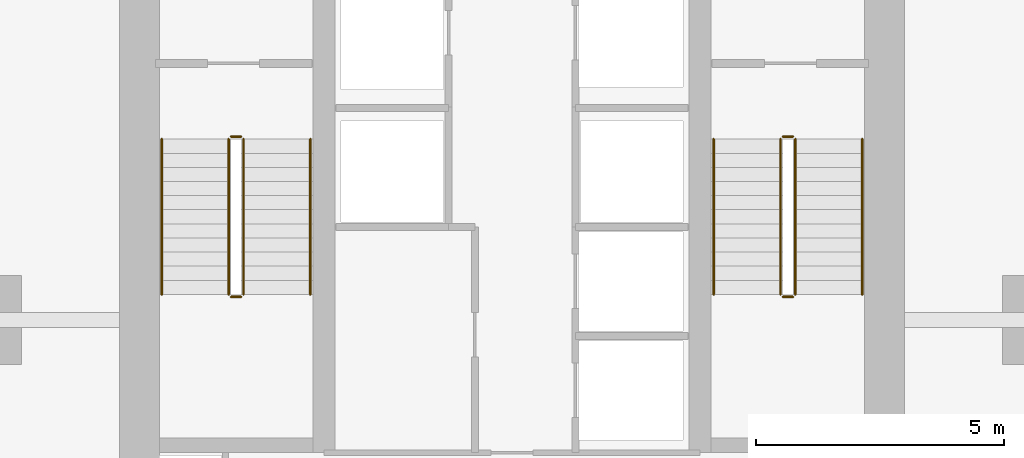
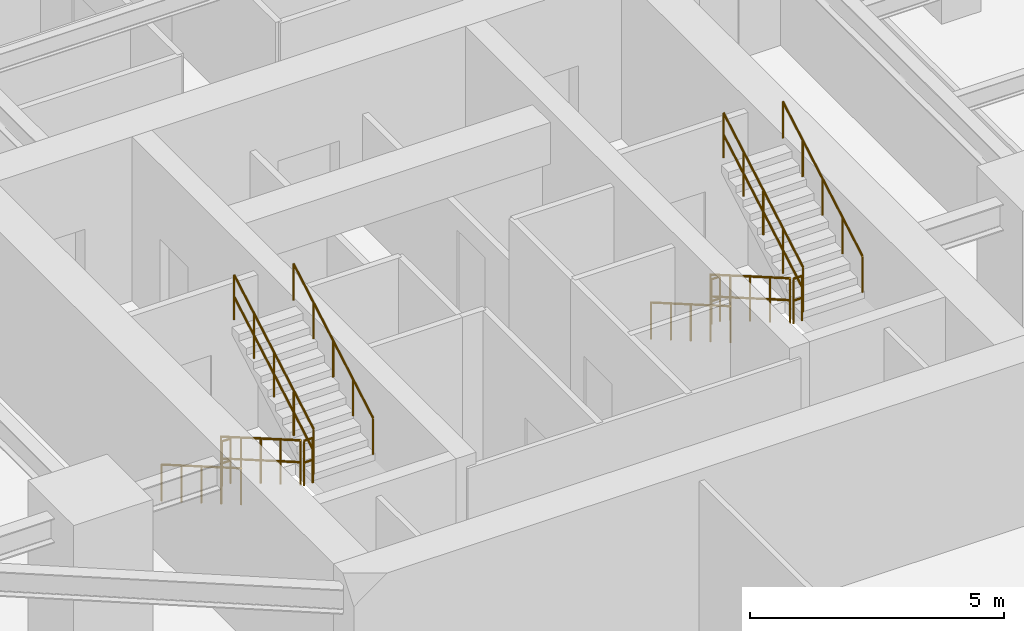
# One storey, part 24 of 25: 12 railings.
"""IFC4 building model written with IfcOpenShell, lengths in metres."""

import ifcopenshell
import ifcopenshell.guid

model = None  # the IFC model being written
_history = None  # IfcOwnerHistory: only IFC2X3 demands one
_inside = {}  # id of a spatial element -> (the spatial element, [elements in it])
_under = {}  # id of a project, library or spatial element -> (it, [spatial elements below it])
_declared = {}  # id of a project -> (the project, [libraries it declares])
_typed = {}  # id of a type object -> (the type object, [elements of that type])
_made_of = {}  # id of a material, layer set ... -> (it, [elements and type objects made of it])


def new_model(schema):
    """Start an empty IFC model of exactly this schema.

    Asked for "IFC4X3", IfcOpenShell would pick the latest addendum, in which some entities
    have other attributes; the version numbers below select the first issue.
    IFC2X3 requires an IfcOwnerHistory on every rooted entity: one is made here for all.
    """
    global model, _history
    if schema == "IFC4X3":
        model = ifcopenshell.file(schema_version=(4, 3, 0, 0))
    else:
        model = ifcopenshell.file(schema=schema)
    _inside.clear()
    _under.clear()
    _declared.clear()
    _typed.clear()
    _made_of.clear()
    _history = None
    if model.schema == "IFC2X3":
        org = make("IfcOrganization", Name="unknown")
        user = make(
            "IfcPersonAndOrganization",
            ThePerson=make("IfcPerson", FamilyName="unknown"),
            TheOrganization=org,
        )
        app = make(
            "IfcApplication",
            ApplicationDeveloper=org,
            Version="unknown",
            ApplicationFullName="unknown",
            ApplicationIdentifier="unknown",
        )
        _history = make(
            "IfcOwnerHistory",
            OwningUser=user,
            OwningApplication=app,
            ChangeAction="ADDED",
            CreationDate=0,
        )
    return model


def make(cls, **values):
    """One entity of the class cls with the attributes given. An attribute that is None is left unset."""
    return model.create_entity(
        cls, **{name: value for name, value in values.items() if value is not None}
    )


def rooted(cls, **values):
    """An entity with a GlobalId (a new one), such as an element, a storey or a relation."""
    return make(cls, GlobalId=ifcopenshell.guid.new(), OwnerHistory=_history, **values)


def si_unit(unit_type, name, prefix=None):
    """IfcSIUnit, for example si_unit("LENGTHUNIT", "METRE", prefix="MILLI")."""
    return make("IfcSIUnit", UnitType=unit_type, Prefix=prefix, Name=name)


def assignment(units):
    """IfcUnitAssignment: the units of a project."""
    return None if units is None else make("IfcUnitAssignment", Units=units)


def point(xyz):
    """IfcCartesianPoint."""
    return None if xyz is None else make("IfcCartesianPoint", Coordinates=xyz)


def direction(xyz):
    """IfcDirection."""
    return None if xyz is None else make("IfcDirection", DirectionRatios=xyz)


def frame(location, z_axis=None, x_axis=None):
    """IfcAxis2Placement3D, a coordinate frame: its origin and axes. An axis left out is left unset."""
    return make(
        "IfcAxis2Placement3D",
        Location=point(location),
        Axis=direction(z_axis),
        RefDirection=direction(x_axis),
    )


def frame_2d(location, x_axis=None):
    """IfcAxis2Placement2D, a coordinate frame in the plane: its origin and x axis."""
    return make(
        "IfcAxis2Placement2D", Location=point(location), RefDirection=direction(x_axis)
    )


def origin():
    """The frame at (0, 0, 0) with its axes left unset."""
    return frame((0.0, 0.0, 0.0))


def origin_2d():
    """The frame at (0, 0) in the plane with its x axis left unset."""
    return frame_2d((0.0, 0.0))


def place(relative_to, where):
    """IfcLocalPlacement: puts the frame where relative to a parent placement (None: the world)."""
    return make(
        "IfcLocalPlacement", PlacementRelTo=relative_to, RelativePlacement=where
    )


def context(
    kind, dimensions, precision=None, world=None, true_north=None, identifier=None
):
    """IfcGeometricRepresentationContext, for example the 3D "Model" context."""
    return make(
        "IfcGeometricRepresentationContext",
        ContextIdentifier=identifier,
        ContextType=kind,
        CoordinateSpaceDimension=dimensions,
        Precision=precision,
        WorldCoordinateSystem=world,
        TrueNorth=true_north,
    )


def subcontext(parent, identifier, kind, view, scale=None):
    """IfcGeometricRepresentationSubContext, for example "Body" below "Model"."""
    return make(
        "IfcGeometricRepresentationSubContext",
        ContextIdentifier=identifier,
        ContextType=kind,
        ParentContext=parent,
        TargetScale=scale,
        TargetView=view,
    )


def project(units=None, contexts=None):
    """IfcProject with its units and contexts."""
    return rooted(
        "IfcProject",
        Name="project",
        RepresentationContexts=contexts,
        UnitsInContext=assignment(units),
    )


def spatial(cls, under=None, at=None, **own):
    """A site, building, storey or space (cls), placed at a placement, below another one or the project."""
    s = rooted(cls, ObjectPlacement=at, **own)
    if under is not None:
        _under.setdefault(under.id(), (under, []))[1].append(s)
    return s


def profile(cls, at=None, kind="AREA", **sizes):
    """A parametric profile (cls). Its sizes go by their IFC names, for example OverallWidth=200.0."""
    return make(cls, ProfileType=kind, Position=at, **sizes)


def circle(**sizes):
    """IfcCircleProfileDef."""
    return profile("IfcCircleProfileDef", **sizes)


def extrude(swept, where, along, depth):
    """IfcExtrudedAreaSolid: the profile swept, set in the frame where, extruded along a direction by depth."""
    return make(
        "IfcExtrudedAreaSolid",
        SweptArea=swept,
        Position=where,
        ExtrudedDirection=direction(along),
        Depth=depth,
    )


def shape(context_of_items, identifier, shape_type, items):
    """IfcShapeRepresentation: the items that make up one representation, for example the "Body"."""
    return make(
        "IfcShapeRepresentation",
        ContextOfItems=context_of_items,
        RepresentationIdentifier=identifier,
        RepresentationType=shape_type,
        Items=items,
    )


def material(Name=None, Category=None):
    """IfcMaterial."""
    return make("IfcMaterial", Name=Name, Category=Category)


def layer(
    of_material, thickness, ventilated=None, Name=None, Category=None, Priority=None
):
    """IfcMaterialLayer: one layer of a wall or slab, of a material (None: an air gap)."""
    return make(
        "IfcMaterialLayer",
        Material=of_material,
        LayerThickness=thickness,
        IsVentilated=ventilated,
        Name=Name,
        Category=Category,
        Priority=Priority,
    )


def layer_set(layers, Name=None):
    """IfcMaterialLayerSet."""
    return make("IfcMaterialLayerSet", MaterialLayers=layers, LayerSetName=Name)


def made_of(thing, what):
    """Note that an element or type object is made of a material, layer set ...; save() writes the relation."""
    if what is not None:
        _made_of.setdefault(what.id(), (what, []))[1].append(thing)
    return thing


def type_object(cls, material=None, **own):
    """A type object (cls), such as IfcWallType, which elements share."""
    return made_of(rooted(cls, **own), material)


def element(
    cls,
    number,
    at=None,
    inside=None,
    cuts=None,
    type_object=None,
    material=None,
    context=None,
    identifier="Body",
    shape_type=None,
    held_by="IfcProductDefinitionShape",
    body=None,
    shapes=None,
    **own,
):
    """One element of the class cls, such as IfcWall. Its Tag is "e" and its number.

    at: its placement. inside: the storey or other place that contains it. cuts: it is an
    opening in that element (IfcRelVoidsElement). A single representation is given by context,
    identifier, shape_type and body (its items); several are given by shapes. held_by: the class
    of the entity that holds the representations. save() writes the other relations.
    """
    e = rooted(cls, Tag="e%d" % number, ObjectPlacement=at, **own)
    if body is not None:
        shapes = [shape(context, identifier, shape_type, body)]
    if shapes is not None:
        e.Representation = make(held_by, Representations=shapes)
    if inside is not None:
        _inside.setdefault(inside.id(), (inside, []))[1].append(e)
    if cuts is not None:
        rooted(
            "IfcRelVoidsElement", RelatingBuildingElement=cuts, RelatedOpeningElement=e
        )
    if type_object is not None:
        _typed.setdefault(type_object.id(), (type_object, []))[1].append(e)
    return made_of(e, material)


def aggregate(whole, parts):
    """IfcRelAggregates: a whole, such as a stair, and the parts it consists of."""
    return rooted("IfcRelAggregates", RelatingObject=whole, RelatedObjects=parts)


def save(model, path):
    """Write the relations noted so far, then the file.

    IfcRelAggregates (storeys below a building ...), IfcRelContainedInSpatialStructure (elements
    in a storey), IfcRelDefinesByType, IfcRelAssociatesMaterial and IfcRelDeclares: one each for
    every whole, place, type object, material and project.
    """
    for whole, parts in _under.values():
        aggregate(whole, parts)
    for where, things in _inside.values():
        rooted(
            "IfcRelContainedInSpatialStructure",
            RelatedElements=things,
            RelatingStructure=where,
        )
    for kind, things in _typed.values():
        rooted("IfcRelDefinesByType", RelatedObjects=things, RelatingType=kind)
    for what, things in _made_of.values():
        rooted("IfcRelAssociatesMaterial", RelatedObjects=things, RelatingMaterial=what)
    for by, libraries in _declared.values():
        rooted("IfcRelDeclares", RelatingContext=by, RelatedDefinitions=libraries)
    model.write(path)


model = new_model("IFC4")

# Units and contexts
model_context = context("Model", 3, precision=1e-05, world=origin(), true_north=direction((0.0, 1.0)))
body_context = subcontext(model_context, "Body", "Model", "MODEL_VIEW")
ifc_project = project(units=[si_unit("LENGTHUNIT", "METRE"), si_unit("AREAUNIT", "SQUARE_METRE"), si_unit("VOLUMEUNIT", "CUBIC_METRE"), si_unit("PLANEANGLEUNIT", "RADIAN"), si_unit("MASSUNIT", "GRAM", prefix="KILO")], contexts=[model_context])

# Site, building, storey
site_placement = place(None, origin())
site = spatial("IfcSite", under=ifc_project, at=site_placement, CompositionType="ELEMENT")
building_placement = place(site_placement, origin())
building = spatial("IfcBuilding", under=site, at=building_placement, Name="Krantzveldt Concourse Tower", CompositionType="ELEMENT")
storey_placement = place(building_placement, frame((0.0, 0.0, 181.75)))
storey = spatial("IfcBuildingStorey", under=building, at=storey_placement, Name="L44", CompositionType="ELEMENT", Elevation=181.75)

# Railings
ifc_material = material(Name="Stainless steel 316L", Category="steel")
ifc_layer_1 = layer(ifc_material, 0.06005859375, Name="Stainless steel 316L", Category="steel")
ifc_layer_set_1 = layer_set([ifc_layer_1], Name="Stainless steel 316L (RL-GUARD-1120)")
railing_type_1 = type_object("IfcRailingType", Name="RL-GUARD-1120", PredefinedType="GUARDRAIL", material=ifc_layer_set_1)
railing_1_placement = place(storey_placement, frame((30.280029296875, 19.550048828125, 0.16455078125)))
element("IfcRailing", 1, at=railing_1_placement, inside=storey, type_object=railing_type_1, Name="L44 ST-1 stair guard 1", PredefinedType="GUARDRAIL", context=body_context, shape_type="SweptSolid", body=[
    extrude(circle(Radius=0.02392578125, at=origin_2d()), frame((0.0, 0.0, 1.076171875), z_axis=(0.0, -0.865959834175, 0.500113552702), x_axis=(1.0, 0.0, 0.0)), (0.0, 0.0, 1.0), 3.620361328125),
    extrude(circle(Radius=0.02392578125, at=origin_2d()), frame((0.0, 0.0, 0.550048828125), z_axis=(0.0, -0.865959834175, 0.500113552702), x_axis=(1.0, 0.0, 0.0)), (0.0, 0.0, 1.0), 3.620361328125),
    extrude(circle(Radius=0.02099609375, at=origin_2d()), origin(), (0.0, 0.0, 1.0), 1.052001953125),
    extrude(circle(Radius=0.02099609375, at=origin_2d()), frame((0.0, -0.78369140625, 0.45263671875)), (0.0, 0.0, 1.0), 1.052001953125),
    extrude(circle(Radius=0.02099609375, at=origin_2d()), frame((0.0, -1.5673828125, 0.9052734375)), (0.0, 0.0, 1.0), 1.052001953125),
    extrude(circle(Radius=0.02099609375, at=origin_2d()), frame((0.0, -2.351318359375, 1.35791015625)), (0.0, 0.0, 1.0), 1.052001953125),
    extrude(circle(Radius=0.02099609375, at=origin_2d()), frame((0.0, -3.135009765625, 1.810546875)), (0.0, 0.0, 1.0), 1.052001953125),
])
railing_2_placement = place(storey_placement, frame((30.330078125, 16.364990234375, 1.97509765625)))
element("IfcRailing", 2, at=railing_2_placement, inside=storey, type_object=railing_type_1, Name="L44 ST-1 stair guard 2", PredefinedType="GUARDRAIL", context=body_context, shape_type="SweptSolid", body=[
    extrude(circle(Radius=0.02392578125, at=origin_2d()), frame((0.0, 0.0, 1.076171875), z_axis=(1.0, 0.0, 0.0), x_axis=(0.0, 1.0, 0.0)), (0.0, 0.0, 1.0), 0.199951171875),
    extrude(circle(Radius=0.02392578125, at=origin_2d()), frame((0.0, 0.0, 0.550048828125), z_axis=(1.0, 0.0, 0.0), x_axis=(0.0, 1.0, 0.0)), (0.0, 0.0, 1.0), 0.199951171875),
    extrude(circle(Radius=0.02099609375, at=origin_2d()), origin(), (0.0, 0.0, 1.0), 1.052001953125),
    extrude(circle(Radius=0.02099609375, at=origin_2d()), frame((0.199951171875, 0.0, 0.0)), (0.0, 0.0, 1.0), 1.052001953125),
])
railing_3_placement = place(storey_placement, frame((30.580078125, 16.4150390625, 2.1396484375)))
element("IfcRailing", 3, at=railing_3_placement, inside=storey, type_object=railing_type_1, Name="L44 ST-1 stair guard 3", PredefinedType="GUARDRAIL", context=body_context, shape_type="SweptSolid", body=[
    extrude(circle(Radius=0.02392578125, at=origin_2d()), frame((0.0, 0.0, 1.076171875), z_axis=(0.0, 0.865989039225, 0.500062979975), x_axis=(-1.0, 0.0, 0.0)), (0.0, 0.0, 1.0), 3.6201171875),
    extrude(circle(Radius=0.02392578125, at=origin_2d()), frame((0.0, 0.0, 0.550048828125), z_axis=(0.0, 0.865989039225, 0.500062979975), x_axis=(-1.0, 0.0, 0.0)), (0.0, 0.0, 1.0), 3.6201171875),
    extrude(circle(Radius=0.02099609375, at=origin_2d()), origin(), (0.0, 0.0, 1.0), 1.052001953125),
    extrude(circle(Radius=0.02099609375, at=origin_2d()), frame((0.0, 0.78369140625, 0.45263671875)), (0.0, 0.0, 1.0), 1.052001953125),
    extrude(circle(Radius=0.02099609375, at=origin_2d()), frame((0.0, 1.5673828125, 0.9052734375)), (0.0, 0.0, 1.0), 1.052001953125),
    extrude(circle(Radius=0.02099609375, at=origin_2d()), frame((0.0, 2.351318359375, 1.357666015625)), (0.0, 0.0, 1.0), 1.052001953125),
    extrude(circle(Radius=0.02099609375, at=origin_2d()), frame((0.0, 3.135009765625, 1.810302734375)), (0.0, 0.0, 1.0), 1.052001953125),
])
railing_4_placement = place(storey_placement, frame((30.330078125, 19.60009765625, 0.0)))
element("IfcRailing", 4, at=railing_4_placement, inside=storey, type_object=railing_type_1, Name="L44 ST-1 stair guard 4", PredefinedType="GUARDRAIL", context=body_context, shape_type="SweptSolid", body=[
    extrude(circle(Radius=0.02392578125, at=origin_2d()), frame((0.0, 0.0, 1.076171875), z_axis=(1.0, 0.0, 0.0), x_axis=(0.0, 1.0, 0.0)), (0.0, 0.0, 1.0), 0.199951171875),
    extrude(circle(Radius=0.02392578125, at=origin_2d()), frame((0.0, 0.0, 0.550048828125), z_axis=(1.0, 0.0, 0.0), x_axis=(0.0, 1.0, 0.0)), (0.0, 0.0, 1.0), 0.199951171875),
    extrude(circle(Radius=0.02099609375, at=origin_2d()), origin(), (0.0, 0.0, 1.0), 1.052001953125),
    extrude(circle(Radius=0.02099609375, at=origin_2d()), frame((0.199951171875, 0.0, 0.0)), (0.0, 0.0, 1.0), 1.052001953125),
])
railing_5_placement = place(storey_placement, frame((41.419921875, 19.550048828125, 0.16455078125)))
element("IfcRailing", 5, at=railing_5_placement, inside=storey, type_object=railing_type_1, Name="L44 ST-2 stair guard 1", PredefinedType="GUARDRAIL", context=body_context, shape_type="SweptSolid", body=[
    extrude(circle(Radius=0.02392578125, at=origin_2d()), frame((0.0, 0.0, 1.076171875), z_axis=(0.0, -0.865959834175, 0.500113552702), x_axis=(1.0, 0.0, 0.0)), (0.0, 0.0, 1.0), 3.620361328125),
    extrude(circle(Radius=0.02392578125, at=origin_2d()), frame((0.0, 0.0, 0.550048828125), z_axis=(0.0, -0.865959834175, 0.500113552702), x_axis=(1.0, 0.0, 0.0)), (0.0, 0.0, 1.0), 3.620361328125),
    extrude(circle(Radius=0.02099609375, at=origin_2d()), origin(), (0.0, 0.0, 1.0), 1.052001953125),
    extrude(circle(Radius=0.02099609375, at=origin_2d()), frame((0.0, -0.78369140625, 0.45263671875)), (0.0, 0.0, 1.0), 1.052001953125),
    extrude(circle(Radius=0.02099609375, at=origin_2d()), frame((0.0, -1.5673828125, 0.9052734375)), (0.0, 0.0, 1.0), 1.052001953125),
    extrude(circle(Radius=0.02099609375, at=origin_2d()), frame((0.0, -2.351318359375, 1.35791015625)), (0.0, 0.0, 1.0), 1.052001953125),
    extrude(circle(Radius=0.02099609375, at=origin_2d()), frame((0.0, -3.135009765625, 1.810546875)), (0.0, 0.0, 1.0), 1.052001953125),
])
railing_6_placement = place(storey_placement, frame((41.469970703125, 16.364990234375, 1.97509765625)))
element("IfcRailing", 6, at=railing_6_placement, inside=storey, type_object=railing_type_1, Name="L44 ST-2 stair guard 2", PredefinedType="GUARDRAIL", context=body_context, shape_type="SweptSolid", body=[
    extrude(circle(Radius=0.02392578125, at=origin_2d()), frame((0.0, 0.0, 1.076171875), z_axis=(1.0, 0.0, 0.0), x_axis=(0.0, 1.0, 0.0)), (0.0, 0.0, 1.0), 0.199951171875),
    extrude(circle(Radius=0.02392578125, at=origin_2d()), frame((0.0, 0.0, 0.550048828125), z_axis=(1.0, 0.0, 0.0), x_axis=(0.0, 1.0, 0.0)), (0.0, 0.0, 1.0), 0.199951171875),
    extrude(circle(Radius=0.02099609375, at=origin_2d()), origin(), (0.0, 0.0, 1.0), 1.052001953125),
    extrude(circle(Radius=0.02099609375, at=origin_2d()), frame((0.199951171875, 0.0, 0.0)), (0.0, 0.0, 1.0), 1.052001953125),
])
railing_7_placement = place(storey_placement, frame((41.719970703125, 16.4150390625, 2.1396484375)))
element("IfcRailing", 7, at=railing_7_placement, inside=storey, type_object=railing_type_1, Name="L44 ST-2 stair guard 3", PredefinedType="GUARDRAIL", context=body_context, shape_type="SweptSolid", body=[
    extrude(circle(Radius=0.02392578125, at=origin_2d()), frame((0.0, 0.0, 1.076171875), z_axis=(0.0, 0.865989039225, 0.500062979975), x_axis=(-1.0, 0.0, 0.0)), (0.0, 0.0, 1.0), 3.6201171875),
    extrude(circle(Radius=0.02392578125, at=origin_2d()), frame((0.0, 0.0, 0.550048828125), z_axis=(0.0, 0.865989039225, 0.500062979975), x_axis=(-1.0, 0.0, 0.0)), (0.0, 0.0, 1.0), 3.6201171875),
    extrude(circle(Radius=0.02099609375, at=origin_2d()), origin(), (0.0, 0.0, 1.0), 1.052001953125),
    extrude(circle(Radius=0.02099609375, at=origin_2d()), frame((0.0, 0.78369140625, 0.45263671875)), (0.0, 0.0, 1.0), 1.052001953125),
    extrude(circle(Radius=0.02099609375, at=origin_2d()), frame((0.0, 1.5673828125, 0.9052734375)), (0.0, 0.0, 1.0), 1.052001953125),
    extrude(circle(Radius=0.02099609375, at=origin_2d()), frame((0.0, 2.351318359375, 1.357666015625)), (0.0, 0.0, 1.0), 1.052001953125),
    extrude(circle(Radius=0.02099609375, at=origin_2d()), frame((0.0, 3.135009765625, 1.810302734375)), (0.0, 0.0, 1.0), 1.052001953125),
])
railing_8_placement = place(storey_placement, frame((41.469970703125, 19.60009765625, 0.0)))
element("IfcRailing", 8, at=railing_8_placement, inside=storey, type_object=railing_type_1, Name="L44 ST-2 stair guard 4", PredefinedType="GUARDRAIL", context=body_context, shape_type="SweptSolid", body=[
    extrude(circle(Radius=0.02392578125, at=origin_2d()), frame((0.0, 0.0, 1.076171875), z_axis=(1.0, 0.0, 0.0), x_axis=(0.0, 1.0, 0.0)), (0.0, 0.0, 1.0), 0.199951171875),
    extrude(circle(Radius=0.02392578125, at=origin_2d()), frame((0.0, 0.0, 0.550048828125), z_axis=(1.0, 0.0, 0.0), x_axis=(0.0, 1.0, 0.0)), (0.0, 0.0, 1.0), 0.199951171875),
    extrude(circle(Radius=0.02099609375, at=origin_2d()), origin(), (0.0, 0.0, 1.0), 1.052001953125),
    extrude(circle(Radius=0.02099609375, at=origin_2d()), frame((0.199951171875, 0.0, 0.0)), (0.0, 0.0, 1.0), 1.052001953125),
])
ifc_layer_2 = layer(ifc_material, 0.050048828125, Name="Stainless steel 316L", Category="steel")
ifc_layer_set_2 = layer_set([ifc_layer_2], Name="Stainless steel 316L (RL-HANDRAIL-920)")
railing_type_2 = type_object("IfcRailingType", Name="RL-HANDRAIL-920", PredefinedType="HANDRAIL", material=ifc_layer_set_2)
railing_9_placement = place(storey_placement, frame((28.929931640625, 19.550048828125, 0.16455078125)))
element("IfcRailing", 9, at=railing_9_placement, inside=storey, type_object=railing_type_2, Name="L44 ST-1 stair handrail 1", PredefinedType="HANDRAIL", context=body_context, shape_type="SweptSolid", body=[
    extrude(circle(Radius=0.02392578125, at=origin_2d()), frame((0.0, 0.0, 0.8759765625), z_axis=(0.0, -0.865959834175, 0.500113552702), x_axis=(1.0, 0.0, 0.0)), (0.0, 0.0, 1.0), 3.620361328125),
    extrude(circle(Radius=0.02099609375, at=origin_2d()), origin(), (0.0, 0.0, 1.0), 0.851806640625),
    extrude(circle(Radius=0.02099609375, at=origin_2d()), frame((0.0, -0.78369140625, 0.45263671875)), (0.0, 0.0, 1.0), 0.851806640625),
    extrude(circle(Radius=0.02099609375, at=origin_2d()), frame((0.0, -1.5673828125, 0.9052734375)), (0.0, 0.0, 1.0), 0.851806640625),
    extrude(circle(Radius=0.02099609375, at=origin_2d()), frame((0.0, -2.351318359375, 1.35791015625)), (0.0, 0.0, 1.0), 0.851806640625),
    extrude(circle(Radius=0.02099609375, at=origin_2d()), frame((0.0, -3.135009765625, 1.810546875)), (0.0, 0.0, 1.0), 0.851806640625),
])
railing_10_placement = place(storey_placement, frame((31.929931640625, 16.4150390625, 2.1396484375)))
element("IfcRailing", 10, at=railing_10_placement, inside=storey, type_object=railing_type_2, Name="L44 ST-1 stair handrail 2", PredefinedType="HANDRAIL", context=body_context, shape_type="SweptSolid", body=[
    extrude(circle(Radius=0.02392578125, at=origin_2d()), frame((0.0, 0.0, 0.8759765625), z_axis=(0.0, 0.865989039225, 0.500062979975), x_axis=(-1.0, 0.0, 0.0)), (0.0, 0.0, 1.0), 3.6201171875),
    extrude(circle(Radius=0.02099609375, at=origin_2d()), origin(), (0.0, 0.0, 1.0), 0.851806640625),
    extrude(circle(Radius=0.02099609375, at=origin_2d()), frame((0.0, 0.78369140625, 0.45263671875)), (0.0, 0.0, 1.0), 0.851806640625),
    extrude(circle(Radius=0.02099609375, at=origin_2d()), frame((0.0, 1.5673828125, 0.9052734375)), (0.0, 0.0, 1.0), 0.851806640625),
    extrude(circle(Radius=0.02099609375, at=origin_2d()), frame((0.0, 2.351318359375, 1.357666015625)), (0.0, 0.0, 1.0), 0.851806640625),
    extrude(circle(Radius=0.02099609375, at=origin_2d()), frame((0.0, 3.135009765625, 1.810302734375)), (0.0, 0.0, 1.0), 0.851806640625),
])
railing_11_placement = place(storey_placement, frame((40.070068359375, 19.550048828125, 0.16455078125)))
element("IfcRailing", 11, at=railing_11_placement, inside=storey, type_object=railing_type_2, Name="L44 ST-2 stair handrail 1", PredefinedType="HANDRAIL", context=body_context, shape_type="SweptSolid", body=[
    extrude(circle(Radius=0.02392578125, at=origin_2d()), frame((0.0, 0.0, 0.8759765625), z_axis=(0.0, -0.865959834175, 0.500113552702), x_axis=(1.0, 0.0, 0.0)), (0.0, 0.0, 1.0), 3.620361328125),
    extrude(circle(Radius=0.02099609375, at=origin_2d()), origin(), (0.0, 0.0, 1.0), 0.851806640625),
    extrude(circle(Radius=0.02099609375, at=origin_2d()), frame((0.0, -0.78369140625, 0.45263671875)), (0.0, 0.0, 1.0), 0.851806640625),
    extrude(circle(Radius=0.02099609375, at=origin_2d()), frame((0.0, -1.5673828125, 0.9052734375)), (0.0, 0.0, 1.0), 0.851806640625),
    extrude(circle(Radius=0.02099609375, at=origin_2d()), frame((0.0, -2.351318359375, 1.35791015625)), (0.0, 0.0, 1.0), 0.851806640625),
    extrude(circle(Radius=0.02099609375, at=origin_2d()), frame((0.0, -3.135009765625, 1.810546875)), (0.0, 0.0, 1.0), 0.851806640625),
])
railing_12_placement = place(storey_placement, frame((43.070068359375, 16.4150390625, 2.1396484375)))
element("IfcRailing", 12, at=railing_12_placement, inside=storey, type_object=railing_type_2, Name="L44 ST-2 stair handrail 2", PredefinedType="HANDRAIL", context=body_context, shape_type="SweptSolid", body=[
    extrude(circle(Radius=0.02392578125, at=origin_2d()), frame((0.0, 0.0, 0.8759765625), z_axis=(0.0, 0.865989039225, 0.500062979975), x_axis=(-1.0, 0.0, 0.0)), (0.0, 0.0, 1.0), 3.6201171875),
    extrude(circle(Radius=0.02099609375, at=origin_2d()), origin(), (0.0, 0.0, 1.0), 0.851806640625),
    extrude(circle(Radius=0.02099609375, at=origin_2d()), frame((0.0, 0.78369140625, 0.45263671875)), (0.0, 0.0, 1.0), 0.851806640625),
    extrude(circle(Radius=0.02099609375, at=origin_2d()), frame((0.0, 1.5673828125, 0.9052734375)), (0.0, 0.0, 1.0), 0.851806640625),
    extrude(circle(Radius=0.02099609375, at=origin_2d()), frame((0.0, 2.351318359375, 1.357666015625)), (0.0, 0.0, 1.0), 0.851806640625),
    extrude(circle(Radius=0.02099609375, at=origin_2d()), frame((0.0, 3.135009765625, 1.810302734375)), (0.0, 0.0, 1.0), 0.851806640625),
])

save(model, "model.ifc")
